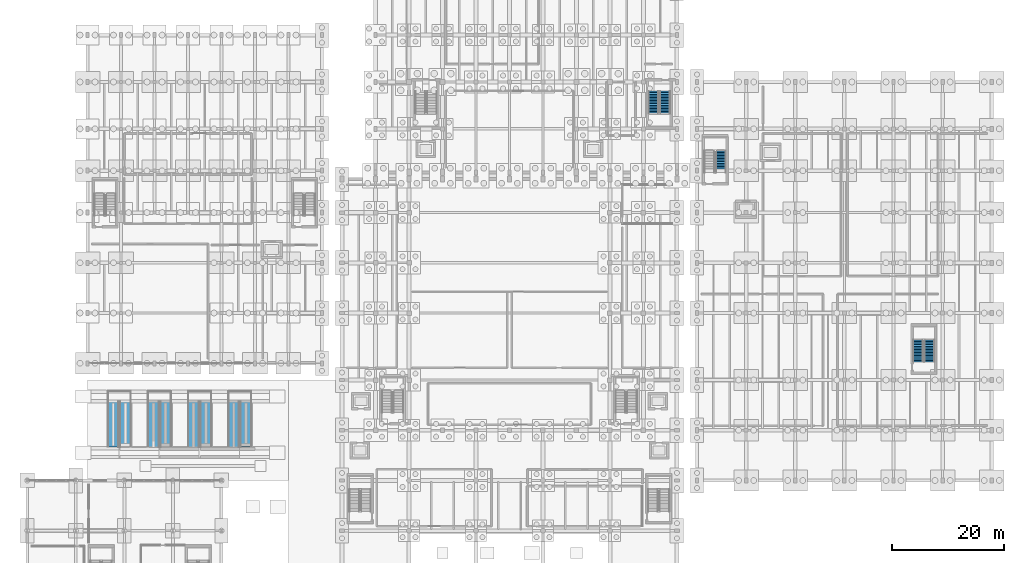
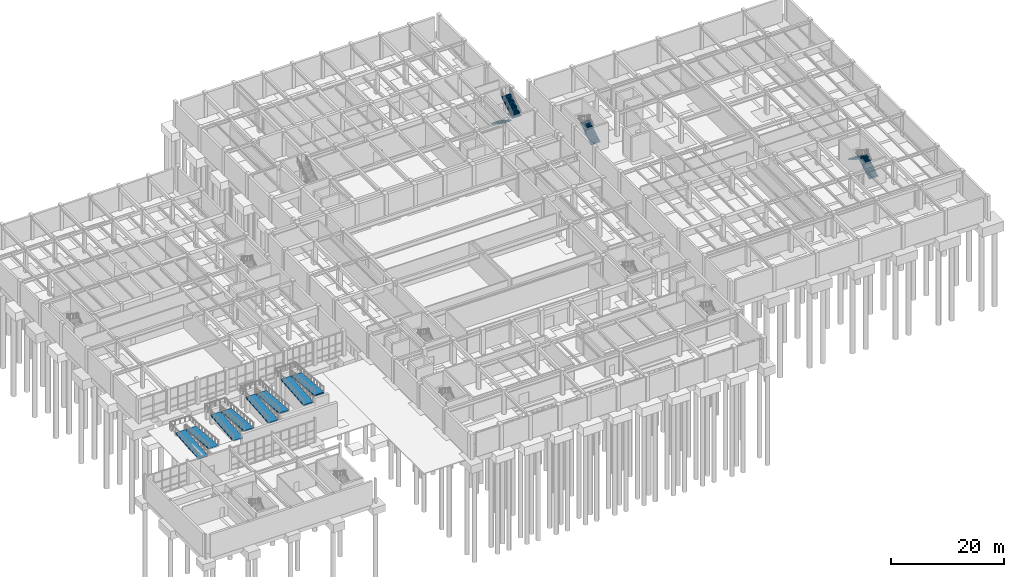
# One storey, part 58 of 69: 8 ramp flights, 5 stair flights, 7 elements without a shape of their own.
"""IFC4 building model written with IfcOpenShell, lengths in metres."""

from ifc_helpers import new_model, si_unit, direction, frame, origin, place, context, subcontext, project, spatial, polyline, outline, extrude, material, layer, layer_set, type_object, element, aggregate, save


model = new_model("IFC4")

# Units and contexts
model_context = context("Model", 3, precision=1e-05, world=origin(), true_north=direction((0.0, 1.0)))
body_context = subcontext(model_context, "Body", "Model", "MODEL_VIEW")
ifc_project = project(units=[si_unit("LENGTHUNIT", "METRE"), si_unit("AREAUNIT", "SQUARE_METRE"), si_unit("VOLUMEUNIT", "CUBIC_METRE"), si_unit("PLANEANGLEUNIT", "RADIAN"), si_unit("MASSUNIT", "GRAM", prefix="KILO")], contexts=[model_context])

# Site, building, storey
site_placement = place(None, origin())
site = spatial("IfcSite", under=ifc_project, at=site_placement, CompositionType="ELEMENT")
building_placement = place(site_placement, origin())
building = spatial("IfcBuilding", under=site, at=building_placement, Name="Vaelkrest Opera House", CompositionType="ELEMENT")
storey_placement = place(building_placement, frame((0.0, 0.0, -5.39990234375)))
storey = spatial("IfcBuildingStorey", under=building, at=storey_placement, Name="B1", CompositionType="ELEMENT", Elevation=-5.39990234375)

# Stair, stair flights
ifc_material = material(Name="Concrete C40/50", Category="concrete")
stair_type_1 = type_object("IfcStairType", Name="ST06", PredefinedType="TWO_STRAIGHT_RUN_STAIR", material=ifc_material)
stair_1_placement = place(storey_placement, origin())
stair_1 = element("IfcStair", 1, at=stair_1_placement, inside=storey, type_object=stair_type_1, Name="B1 Protected exit stair ST06", PredefinedType="TWO_STRAIGHT_RUN_STAIR")
stair_flight_type = type_object("IfcStairFlightType", Name="SFL176", PredefinedType="STRAIGHT", material=ifc_material)
stair_flight_1_placement = place(storey_placement, frame((25.824951171875, 31.949951171875, 0.0), z_axis=(0.0, 0.0, 1.0), x_axis=(0.0, -1.0, 0.0)))
stair_flight_1 = element("IfcStairFlight", 2, at=stair_flight_1_placement, type_object=stair_flight_type, Name="ST06 flight 1", NumberOfRisers=15, NumberOfTreads=14, PredefinedType="STRAIGHT", RiserHeight=0.18, TreadLength=0.28, context=body_context, shape_type="SweptSolid", body=[
    extrude(outline(polyline([(0.0, 0.0), (0.0, 0.179931640625), (0.280029296875, 0.179931640625), (0.280029296875, 0.360107421875), (0.56005859375, 0.360107421875), (0.56005859375, 0.5400390625), (0.840087890625, 0.5400390625), (0.840087890625, 0.719970703125), (1.1201171875, 0.719970703125), (1.1201171875, 0.89990234375), (1.39990234375, 0.89990234375), (1.39990234375, 1.080078125), (1.679931640625, 1.080078125), (1.679931640625, 1.260009765625), (1.9599609375, 1.260009765625), (1.9599609375, 1.43994140625), (2.239990234375, 1.43994140625), (2.239990234375, 1.6201171875), (2.52001953125, 1.6201171875), (2.52001953125, 1.800048828125), (2.800048828125, 1.800048828125), (2.800048828125, 1.97998046875), (3.080078125, 1.97998046875), (3.080078125, 2.159912109375), (3.360107421875, 2.159912109375), (3.360107421875, 2.340087890625), (3.639892578125, 2.340087890625), (3.639892578125, 2.52001953125), (3.919921875, 2.52001953125), (3.919921875, 2.699951171875), (3.919921875, 2.329833984375), (0.295654296875, 0.0), (0.0, 0.0)])), frame((0.0, 0.925048828125, 0.0), z_axis=(0.0, -1.0, 0.0), x_axis=(1.0, 0.0, 0.0)), (0.0, 0.0, 1.0), 1.85009765625),
])
stair_flight_2_placement = place(storey_placement, frame((27.875, 28.030029296875, 2.699951171875), z_axis=(0.0, 0.0, 1.0), x_axis=(0.0, 1.0, 0.0)))
stair_flight_2 = element("IfcStairFlight", 3, at=stair_flight_2_placement, type_object=stair_flight_type, Name="ST06 flight 2", NumberOfRisers=15, NumberOfTreads=14, PredefinedType="STRAIGHT", RiserHeight=0.18, TreadLength=0.28, context=body_context, shape_type="SweptSolid", body=[
    extrude(outline(polyline([(0.0, 0.0), (0.0, 0.179931640625), (0.280029296875, 0.179931640625), (0.280029296875, 0.360107421875), (0.56005859375, 0.360107421875), (0.56005859375, 0.5400390625), (0.840087890625, 0.5400390625), (0.840087890625, 0.719970703125), (1.1201171875, 0.719970703125), (1.1201171875, 0.89990234375), (1.39990234375, 0.89990234375), (1.39990234375, 1.080078125), (1.679931640625, 1.080078125), (1.679931640625, 1.260009765625), (1.9599609375, 1.260009765625), (1.9599609375, 1.43994140625), (2.239990234375, 1.43994140625), (2.239990234375, 1.6201171875), (2.52001953125, 1.6201171875), (2.52001953125, 1.800048828125), (2.800048828125, 1.800048828125), (2.800048828125, 1.97998046875), (3.080078125, 1.97998046875), (3.080078125, 2.159912109375), (3.360107421875, 2.159912109375), (3.360107421875, 2.340087890625), (3.639892578125, 2.340087890625), (3.639892578125, 2.52001953125), (3.919921875, 2.52001953125), (3.919921875, 2.699951171875), (3.919921875, 2.329833984375), (0.295654296875, 0.0), (0.0, 0.0)])), frame((0.0, 0.925048828125, 0.0), z_axis=(0.0, -1.0, 0.0), x_axis=(1.0, 0.0, 0.0)), (0.0, 0.0, 1.0), 1.85009765625),
])
aggregate(stair_1, [stair_flight_1, stair_flight_2])

# Stair, stair flight
stair_type_2 = type_object("IfcStairType", Name="ST09", PredefinedType="TWO_STRAIGHT_RUN_STAIR", material=ifc_material)
stair_2_placement = place(storey_placement, origin())
stair_2 = element("IfcStair", 4, at=stair_2_placement, inside=storey, type_object=stair_type_2, Name="B1 Protected exit stair ST09", PredefinedType="TWO_STRAIGHT_RUN_STAIR")
stair_flight_3_placement = place(storey_placement, frame((37.875, 17.35009765625, 0.0), z_axis=(0.0, 0.0, 1.0), x_axis=(0.0, 1.0, 0.0)))
stair_flight_3 = element("IfcStairFlight", 5, at=stair_flight_3_placement, type_object=stair_flight_type, Name="ST09 flight 1", NumberOfRisers=15, NumberOfTreads=14, PredefinedType="STRAIGHT", RiserHeight=0.18, TreadLength=0.28, context=body_context, shape_type="SweptSolid", body=[
    extrude(outline(polyline([(0.0, 0.0), (0.0, 0.179931640625), (0.280029296875, 0.179931640625), (0.280029296875, 0.360107421875), (0.56005859375, 0.360107421875), (0.56005859375, 0.5400390625), (0.840087890625, 0.5400390625), (0.840087890625, 0.719970703125), (1.1201171875, 0.719970703125), (1.1201171875, 0.89990234375), (1.39990234375, 0.89990234375), (1.39990234375, 1.080078125), (1.679931640625, 1.080078125), (1.679931640625, 1.260009765625), (1.9599609375, 1.260009765625), (1.9599609375, 1.43994140625), (2.239990234375, 1.43994140625), (2.239990234375, 1.6201171875), (2.52001953125, 1.6201171875), (2.52001953125, 1.800048828125), (2.800048828125, 1.800048828125), (2.800048828125, 1.97998046875), (3.080078125, 1.97998046875), (3.080078125, 2.159912109375), (3.360107421875, 2.159912109375), (3.360107421875, 2.340087890625), (3.639892578125, 2.340087890625), (3.639892578125, 2.52001953125), (3.919921875, 2.52001953125), (3.919921875, 2.699951171875), (3.919921875, 2.329833984375), (0.295654296875, 0.0), (0.0, 0.0)])), frame((0.0, 0.925048828125, 0.0), z_axis=(0.0, -1.0, 0.0), x_axis=(1.0, 0.0, 0.0)), (0.0, 0.0, 1.0), 1.85009765625),
])
aggregate(stair_2, [stair_flight_3])

# Stair, stair flights
stair_type_3 = type_object("IfcStairType", Name="ST10", PredefinedType="TWO_STRAIGHT_RUN_STAIR", material=ifc_material)
stair_3_placement = place(storey_placement, origin())
stair_3 = element("IfcStair", 6, at=stair_3_placement, inside=storey, type_object=stair_type_3, Name="B1 Protected exit stair ST10", PredefinedType="TWO_STRAIGHT_RUN_STAIR")
stair_flight_4_placement = place(storey_placement, frame((75.27490234375, -16.550048828125, 0.0), z_axis=(0.0, 0.0, 1.0), x_axis=(0.0, 1.0, 0.0)))
stair_flight_4 = element("IfcStairFlight", 7, at=stair_flight_4_placement, type_object=stair_flight_type, Name="ST10 flight 1", NumberOfRisers=15, NumberOfTreads=14, PredefinedType="STRAIGHT", RiserHeight=0.18, TreadLength=0.28, context=body_context, shape_type="SweptSolid", body=[
    extrude(outline(polyline([(0.0, 0.0), (0.0, 0.179931640625), (0.280029296875, 0.179931640625), (0.280029296875, 0.360107421875), (0.56005859375, 0.360107421875), (0.56005859375, 0.5400390625), (0.840087890625, 0.5400390625), (0.840087890625, 0.719970703125), (1.1201171875, 0.719970703125), (1.1201171875, 0.89990234375), (1.39990234375, 0.89990234375), (1.39990234375, 1.080078125), (1.679931640625, 1.080078125), (1.679931640625, 1.260009765625), (1.9599609375, 1.260009765625), (1.9599609375, 1.43994140625), (2.239990234375, 1.43994140625), (2.239990234375, 1.6201171875), (2.52001953125, 1.6201171875), (2.52001953125, 1.800048828125), (2.800048828125, 1.800048828125), (2.800048828125, 1.97998046875), (3.080078125, 1.97998046875), (3.080078125, 2.159912109375), (3.360107421875, 2.159912109375), (3.360107421875, 2.340087890625), (3.639892578125, 2.340087890625), (3.639892578125, 2.52001953125), (3.919921875, 2.52001953125), (3.919921875, 2.699951171875), (3.919921875, 2.329833984375), (0.295654296875, 0.0), (0.0, 0.0)])), frame((0.0, 0.925048828125, 0.0), z_axis=(0.0, -1.0, 0.0), x_axis=(1.0, 0.0, 0.0)), (0.0, 0.0, 1.0), 1.85009765625),
])
stair_flight_5_placement = place(storey_placement, frame((73.22509765625, -12.6298828125, 2.699951171875), z_axis=(0.0, 0.0, 1.0), x_axis=(0.0, -1.0, 0.0)))
stair_flight_5 = element("IfcStairFlight", 8, at=stair_flight_5_placement, type_object=stair_flight_type, Name="ST10 flight 2", NumberOfRisers=15, NumberOfTreads=14, PredefinedType="STRAIGHT", RiserHeight=0.18, TreadLength=0.28, context=body_context, shape_type="SweptSolid", body=[
    extrude(outline(polyline([(0.0, 0.0), (0.0, 0.179931640625), (0.280029296875, 0.179931640625), (0.280029296875, 0.360107421875), (0.56005859375, 0.360107421875), (0.56005859375, 0.5400390625), (0.840087890625, 0.5400390625), (0.840087890625, 0.719970703125), (1.1201171875, 0.719970703125), (1.1201171875, 0.89990234375), (1.39990234375, 0.89990234375), (1.39990234375, 1.080078125), (1.679931640625, 1.080078125), (1.679931640625, 1.260009765625), (1.9599609375, 1.260009765625), (1.9599609375, 1.43994140625), (2.239990234375, 1.43994140625), (2.239990234375, 1.6201171875), (2.52001953125, 1.6201171875), (2.52001953125, 1.800048828125), (2.800048828125, 1.800048828125), (2.800048828125, 1.97998046875), (3.080078125, 1.97998046875), (3.080078125, 2.159912109375), (3.360107421875, 2.159912109375), (3.360107421875, 2.340087890625), (3.639892578125, 2.340087890625), (3.639892578125, 2.52001953125), (3.919921875, 2.52001953125), (3.919921875, 2.699951171875), (3.919921875, 2.329833984375), (0.295654296875, 0.0), (0.0, 0.0)])), frame((0.0, 0.925048828125, 0.0), z_axis=(0.0, -1.0, 0.0), x_axis=(1.0, 0.0, 0.0)), (0.0, 0.0, 1.0), 1.85009765625),
])
aggregate(stair_3, [stair_flight_4, stair_flight_5])

# Ramp, ramp flights
ramp_type = type_object("IfcRampType", Name="RMP01", PredefinedType="STRAIGHT_RUN_RAMP", material=ifc_material)
ramp_1_placement = place(storey_placement, origin())
ramp_1 = element("IfcRamp", 9, at=ramp_1_placement, inside=storey, type_object=ramp_type, Name="Accessible forecourt ramp tier 1", PredefinedType="STRAIGHT_RUN_RAMP")
ifc_layer = layer(ifc_material, 0.239990234375)
ifc_layer_set = layer_set([ifc_layer], Name="Concrete C40/50")
ramp_flight_type = type_object("IfcRampFlightType", Name="RFL01", PredefinedType="STRAIGHT", material=ifc_layer_set)
ramp_flight_1_placement = place(storey_placement, frame((-72.0, -31.800048828125, 0.0), z_axis=(0.0, -0.083020622114, 0.996547829411), x_axis=(1.0, 0.0, 0.0)))
ramp_flight_1 = element("IfcRampFlight", 10, at=ramp_flight_1_placement, type_object=ramp_flight_type, Name="Accessible ramp flight RMP-FC-1-F1", PredefinedType="STRAIGHT", context=body_context, shape_type="SweptSolid", body=[
    extrude(outline(polyline([(0.0, 0.0), (2.0, 0.0), (2.0, 8.128157442314878), (0.0, 8.128157442314878), (0.0, 0.0)])), origin(), (0.0, 0.0, -1.0), 0.239990234375),
])
ramp_flight_2_placement = place(storey_placement, frame((-69.800048828125, -23.699951171875, 0.6748046875), z_axis=(0.0, 0.083050451383, 0.996545343938), x_axis=(1.0, 0.0, 0.0)))
ramp_flight_2 = element("IfcRampFlight", 11, at=ramp_flight_2_placement, type_object=ramp_flight_type, Name="Accessible ramp flight RMP-FC-1-F2", PredefinedType="STRAIGHT", context=body_context, shape_type="SweptSolid", body=[
    extrude(outline(polyline([(0.0, 0.0), (2.0, 0.0), (2.0, -8.128177714662723), (0.0, -8.128177714662723), (0.0, 0.0)])), origin(), (0.0, 0.0, -1.0), 0.239990234375),
])
aggregate(ramp_1, [ramp_flight_1, ramp_flight_2])

ramp_2_placement = place(storey_placement, origin())
ramp_2 = element("IfcRamp", 12, at=ramp_2_placement, inside=storey, type_object=ramp_type, Name="Accessible forecourt ramp tier 2", PredefinedType="STRAIGHT_RUN_RAMP")
ramp_flight_3_placement = place(storey_placement, frame((-64.800048828125, -31.800048828125, 1.349853515625), z_axis=(0.0, -0.083050451383, 0.996545343938), x_axis=(1.0, 0.0, 0.0)))
ramp_flight_3 = element("IfcRampFlight", 13, at=ramp_flight_3_placement, type_object=ramp_flight_type, Name="Accessible ramp flight RMP-FC-2-F1", PredefinedType="STRAIGHT", context=body_context, shape_type="SweptSolid", body=[
    extrude(outline(polyline([(0.0, 0.0), (2.0, 0.0), (2.0, 8.128177714662723), (0.0, 8.128177714662723), (0.0, 0.0)])), origin(), (0.0, 0.0, -1.0), 0.239990234375),
])
ramp_flight_4_placement = place(storey_placement, frame((-62.60009765625, -23.699951171875, 2.02490234375), z_axis=(0.0, 0.083050451383, 0.996545343938), x_axis=(1.0, 0.0, 0.0)))
ramp_flight_4 = element("IfcRampFlight", 14, at=ramp_flight_4_placement, type_object=ramp_flight_type, Name="Accessible ramp flight RMP-FC-2-F2", PredefinedType="STRAIGHT", context=body_context, shape_type="SweptSolid", body=[
    extrude(outline(polyline([(0.0, 0.0), (2.0, 0.0), (2.0, -8.128177714662723), (0.0, -8.128177714662723), (0.0, 0.0)])), origin(), (0.0, 0.0, -1.0), 0.239990234375),
])
aggregate(ramp_2, [ramp_flight_3, ramp_flight_4])

ramp_3_placement = place(storey_placement, origin())
ramp_3 = element("IfcRamp", 15, at=ramp_3_placement, inside=storey, type_object=ramp_type, Name="Accessible forecourt ramp tier 3", PredefinedType="STRAIGHT_RUN_RAMP")
ramp_flight_5_placement = place(storey_placement, frame((-57.60009765625, -31.800048828125, 2.699951171875), z_axis=(0.0, -0.083050451383, 0.996545343938), x_axis=(1.0, 0.0, 0.0)))
ramp_flight_5 = element("IfcRampFlight", 16, at=ramp_flight_5_placement, type_object=ramp_flight_type, Name="Accessible ramp flight RMP-FC-3-F1", PredefinedType="STRAIGHT", context=body_context, shape_type="SweptSolid", body=[
    extrude(outline(polyline([(0.0, 0.0), (2.0, 0.0), (2.0, 8.128177714662723), (0.0, 8.128177714662723), (0.0, 0.0)])), origin(), (0.0, 0.0, -1.0), 0.239990234375),
])
ramp_flight_6_placement = place(storey_placement, frame((-55.39990234375, -23.699951171875, 3.375), z_axis=(0.0, 0.083020622114, 0.996547829411), x_axis=(1.0, 0.0, 0.0)))
ramp_flight_6 = element("IfcRampFlight", 17, at=ramp_flight_6_placement, type_object=ramp_flight_type, Name="Accessible ramp flight RMP-FC-3-F2", PredefinedType="STRAIGHT", context=body_context, shape_type="SweptSolid", body=[
    extrude(outline(polyline([(0.0, 0.0), (2.0, 0.0), (2.0, -8.128157442314878), (0.0, -8.128157442314878), (0.0, 0.0)])), origin(), (0.0, 0.0, -1.0), 0.239990234375),
])
aggregate(ramp_3, [ramp_flight_5, ramp_flight_6])

ramp_4_placement = place(storey_placement, origin())
ramp_4 = element("IfcRamp", 18, at=ramp_4_placement, inside=storey, type_object=ramp_type, Name="Accessible forecourt ramp tier 4", PredefinedType="STRAIGHT_RUN_RAMP")
ramp_flight_7_placement = place(storey_placement, frame((-50.39990234375, -31.800048828125, 4.0498046875), z_axis=(0.0, -0.083050451383, 0.996545343938), x_axis=(1.0, 0.0, 0.0)))
ramp_flight_7 = element("IfcRampFlight", 19, at=ramp_flight_7_placement, type_object=ramp_flight_type, Name="Accessible ramp flight RMP-FC-4-F1", PredefinedType="STRAIGHT", context=body_context, shape_type="SweptSolid", body=[
    extrude(outline(polyline([(0.0, 0.0), (2.0, 0.0), (2.0, 8.128177714662723), (0.0, 8.128177714662723), (0.0, 0.0)])), origin(), (0.0, 0.0, -1.0), 0.239990234375),
])
ramp_flight_8_placement = place(storey_placement, frame((-48.199951171875, -23.699951171875, 4.724853515625), z_axis=(0.0, 0.083050451383, 0.996545343938), x_axis=(1.0, 0.0, 0.0)))
ramp_flight_8 = element("IfcRampFlight", 20, at=ramp_flight_8_placement, type_object=ramp_flight_type, Name="Accessible ramp flight RMP-FC-4-F2", PredefinedType="STRAIGHT", context=body_context, shape_type="SweptSolid", body=[
    extrude(outline(polyline([(0.0, 0.0), (2.0, 0.0), (2.0, -8.128177714662723), (0.0, -8.128177714662723), (0.0, 0.0)])), origin(), (0.0, 0.0, -1.0), 0.239990234375),
])
aggregate(ramp_4, [ramp_flight_7, ramp_flight_8])

save(model, "model.ifc")
